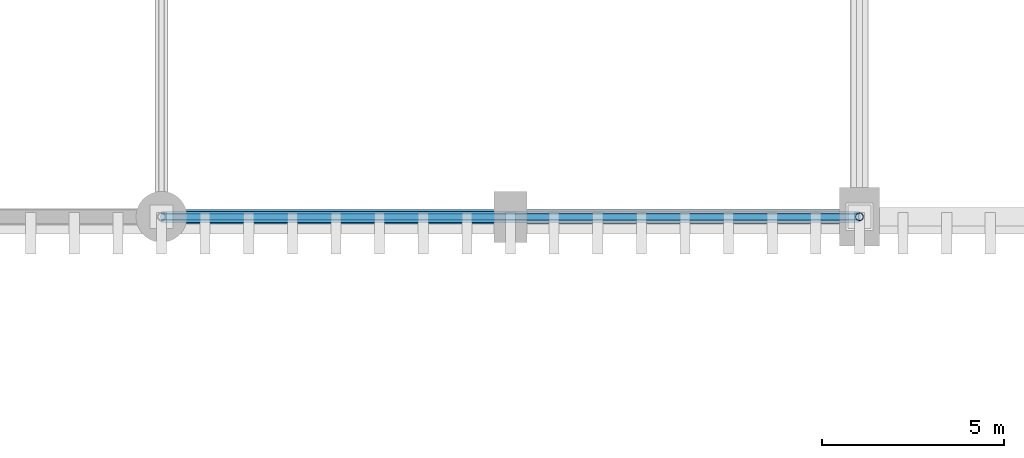
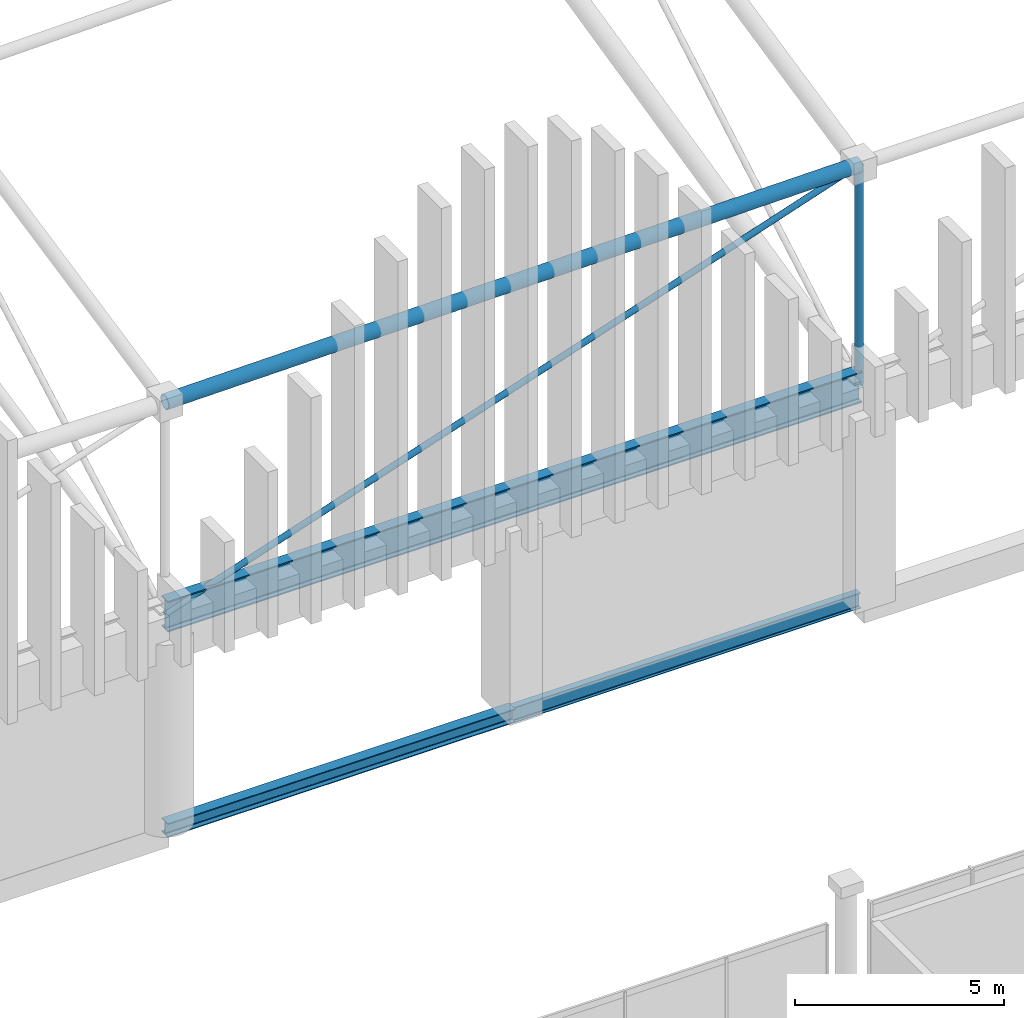
# One storey, part 43 of 193: 3 beams, 3 members.
"""IFC4 building model written with IfcOpenShell, lengths in metres."""

from ifc_helpers import new_model, si_unit, direction, frame, origin, origin_2d, place, context, subcontext, project, spatial, hollow_circle, i_section, extrude, material, material_profile, profile_set, type_object, element, save


model = new_model("IFC4")

# Units and contexts
model_context = context("Model", 3, precision=1e-05, world=origin(), true_north=direction((0.0, 1.0)))
body_context = subcontext(model_context, "Body", "Model", "MODEL_VIEW")
ifc_project = project(units=[si_unit("LENGTHUNIT", "METRE"), si_unit("AREAUNIT", "SQUARE_METRE"), si_unit("VOLUMEUNIT", "CUBIC_METRE"), si_unit("PLANEANGLEUNIT", "RADIAN"), si_unit("MASSUNIT", "GRAM", prefix="KILO")], contexts=[model_context])

# Site, building, storey
site_placement = place(None, origin())
site = spatial("IfcSite", under=ifc_project, at=site_placement, CompositionType="ELEMENT")
building_placement = place(site_placement, origin())
building = spatial("IfcBuilding", under=site, at=building_placement, Name="Danafjord Basin Convention Centre", CompositionType="ELEMENT")
storey_placement = place(building_placement, frame((0.0, 0.0, 11.39990234375)))
storey = spatial("IfcBuildingStorey", under=building, at=storey_placement, Name="L02", CompositionType="ELEMENT", Elevation=11.39990234375)

# Beams
ifc_material = material(Name="Steel S355", Category="steel")
ifc_material_profile_1 = material_profile(ifc_material, i_section(OverallWidth=0.300048828125, OverallDepth=0.89990234375, WebThickness=0.0185546875, FlangeThickness=0.034912109375, FilletRadius=0.030029296875, at=origin_2d()), Name="HEB 900")
ifc_profile_set_1 = profile_set([ifc_material_profile_1], Name="Steel S355")
beam_type_1 = type_object("IfcBeamType", Name="BEAM-BM-HEB900", PredefinedType="BEAM", material=ifc_profile_set_1)
beam_1_placement = place(storey_placement, frame((57.60009765625, 56.0, 6.050048828125), z_axis=(1.0, 0.0, 0.0), x_axis=(0.0, 1.0, 0.0)))
element("IfcBeam", 1, at=beam_1_placement, inside=storey, type_object=beam_type_1, Name="V1 space-frame perimeter ring girder", PredefinedType="BEAM", context=body_context, shape_type="SweptSolid", body=[
    extrude(i_section(OverallWidth=0.300048828125, OverallDepth=0.89990234375, WebThickness=0.0185546875, FlangeThickness=0.034912109375, FilletRadius=0.030029296875, at=origin_2d()), origin(), (0.0, 0.0, 1.0), 19.199951171875),
])
ifc_material_profile_2 = material_profile(ifc_material, i_section(OverallWidth=0.300048828125, OverallDepth=0.39990234375, WebThickness=0.013427734375, FlangeThickness=0.02392578125, FilletRadius=0.027099609375, at=origin_2d()), Name="HEB 400")
ifc_profile_set_2 = profile_set([ifc_material_profile_2], Name="Steel S355")
beam_type_2 = type_object("IfcBeamType", Name="BEAM-SP-HEB400", PredefinedType="SPANDREL", material=ifc_profile_set_2)
beam_2_placement = place(storey_placement, frame((57.60009765625, 56.0, -0.199951171875), z_axis=(1.0, 0.0, 0.0), x_axis=(0.0, 1.0, 0.0)))
element("IfcBeam", 2, at=beam_2_placement, inside=storey, type_object=beam_type_2, Name="L02 girder SP-HEB400", PredefinedType="SPANDREL", context=body_context, shape_type="SweptSolid", body=[
    extrude(i_section(OverallWidth=0.300048828125, OverallDepth=0.39990234375, WebThickness=0.013427734375, FlangeThickness=0.02392578125, FilletRadius=0.027099609375, at=origin_2d()), origin(), (0.0, 0.0, 1.0), 9.599853515625),
])
ifc_material_profile_3 = material_profile(ifc_material, i_section(OverallWidth=0.18994140625, OverallDepth=0.449951171875, WebThickness=0.009521484375, FlangeThickness=0.0146484375, FilletRadius=0.02099609375, at=origin_2d()), Name="IPE 450")
ifc_profile_set_3 = profile_set([ifc_material_profile_3], Name="Steel S355")
beam_type_3 = type_object("IfcBeamType", Name="BEAM-SP-IPE450", PredefinedType="SPANDREL", material=ifc_profile_set_3)
beam_3_placement = place(storey_placement, frame((67.199951171875, 56.0, -0.224853515625), z_axis=(1.0, 0.0, 0.0), x_axis=(0.0, 1.0, 0.0)))
element("IfcBeam", 3, at=beam_3_placement, inside=storey, type_object=beam_type_3, Name="L02 girder SP-IPE450", PredefinedType="SPANDREL", context=body_context, shape_type="SweptSolid", body=[
    extrude(i_section(OverallWidth=0.18994140625, OverallDepth=0.449951171875, WebThickness=0.009521484375, FlangeThickness=0.0146484375, FilletRadius=0.02099609375, at=origin_2d()), origin(), (0.0, 0.0, 1.0), 9.60009765625),
])

# Members
ifc_material_profile_4 = material_profile(ifc_material, hollow_circle(Radius=0.203125, WallThickness=0.02001953125, at=origin_2d()), Name="CHS 406.4x20.0")
ifc_profile_set_4 = profile_set([ifc_material_profile_4], Name="Steel S355")
member_type_1 = type_object("IfcMemberType", Name="MEM-CH-CHS406", PredefinedType="CHORD", material=ifc_profile_set_4)
member_1_placement = place(storey_placement, frame((57.60009765625, 56.0, 12.25), z_axis=(0.999931282566, 0.0, 0.011723060444), x_axis=(0.0, 1.0, 0.0)))
element("IfcMember", 4, at=member_1_placement, inside=storey, type_object=member_type_1, Name="V1 roof truss longitudinal top chord", PredefinedType="CHORD", context=body_context, shape_type="SweptSolid", body=[
    extrude(hollow_circle(Radius=0.203125, WallThickness=0.02001953125, at=origin_2d()), origin(), (0.0, 0.0, 1.0), 19.201171875),
])
ifc_material_profile_5 = material_profile(ifc_material, hollow_circle(Radius=0.109619140625, WallThickness=0.010009765625, at=origin_2d()), Name="CHS 219.1x10.0")
ifc_profile_set_5 = profile_set([ifc_material_profile_5], Name="Steel S355")
member_type_2 = type_object("IfcMemberType", Name="MEM-ST-CHS219", PredefinedType="STRUT", material=ifc_profile_set_5)
member_2_placement = place(storey_placement, frame((76.800048828125, 56.0, 6.050048828125), z_axis=(0.0, 0.0, 1.0), x_axis=(1.0, 0.0, 0.0)))
element("IfcMember", 5, at=member_2_placement, inside=storey, type_object=member_type_2, Name="V1 roof truss vertical strut", PredefinedType="STRUT", context=body_context, shape_type="SweptSolid", body=[
    extrude(hollow_circle(Radius=0.109619140625, WallThickness=0.010009765625, at=origin_2d()), origin(), (0.0, 0.0, 1.0), 6.425048828125),
])
ifc_material_profile_6 = material_profile(ifc_material, hollow_circle(Radius=0.084228515625, WallThickness=0.008056640625, at=origin_2d()), Name="CHS 168.3x8.0")
ifc_profile_set_6 = profile_set([ifc_material_profile_6], Name="Steel S355")
member_type_3 = type_object("IfcMemberType", Name="MEM-WB-CHS168", PredefinedType="MEMBER", material=ifc_profile_set_6)
member_3_placement = place(storey_placement, frame((57.60009765625, 56.0, 6.050048828125), z_axis=(0.948311244058, 0.0, 0.317341747007), x_axis=(0.0, 1.0, 0.0)))
element("IfcMember", 6, at=member_3_placement, inside=storey, type_object=member_type_3, Name="V1 space-frame longitudinal web", PredefinedType="MEMBER", context=body_context, shape_type="SweptSolid", body=[
    extrude(hollow_circle(Radius=0.084228515625, WallThickness=0.008056640625, at=origin_2d()), origin(), (0.0, 0.0, 1.0), 20.24658203125),
])

save(model, "model.ifc")
